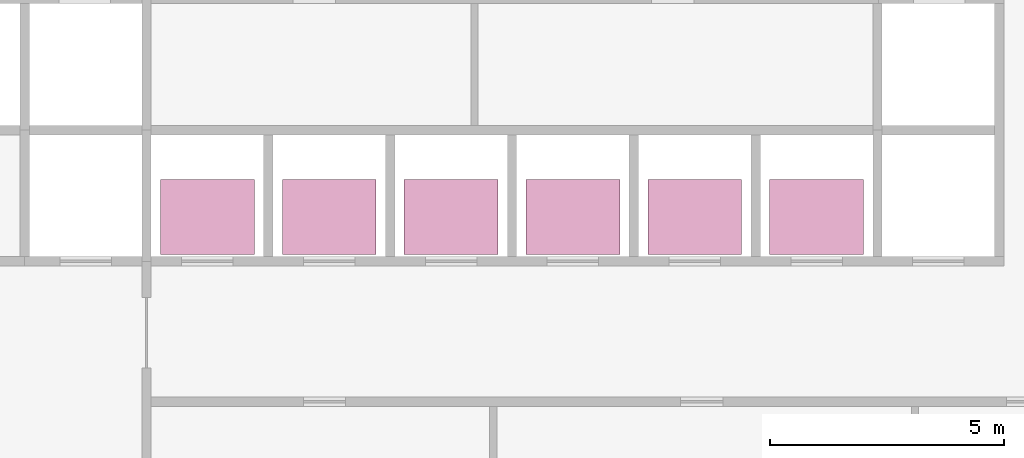
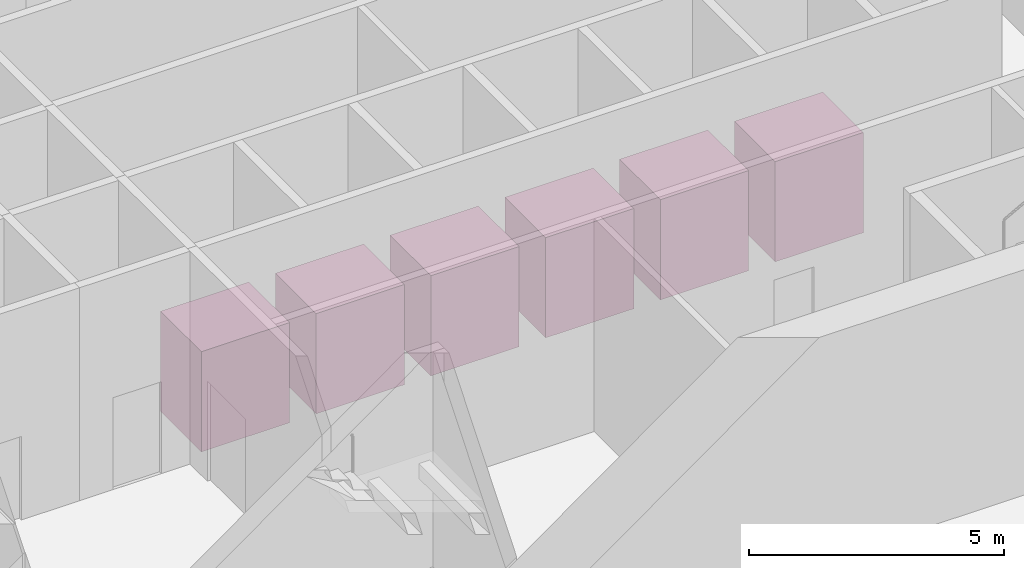
# One storey, part 16 of 16: 6 transport elements.
"""IFC4 building model written with IfcOpenShell, lengths in metres."""

import ifcopenshell
import ifcopenshell.guid

model = None  # the IFC model being written
_history = None  # IfcOwnerHistory: only IFC2X3 demands one
_inside = {}  # id of a spatial element -> (the spatial element, [elements in it])
_under = {}  # id of a project, library or spatial element -> (it, [spatial elements below it])
_declared = {}  # id of a project -> (the project, [libraries it declares])
_typed = {}  # id of a type object -> (the type object, [elements of that type])
_made_of = {}  # id of a material, layer set ... -> (it, [elements and type objects made of it])


def new_model(schema):
    """Start an empty IFC model of exactly this schema.

    Asked for "IFC4X3", IfcOpenShell would pick the latest addendum, in which some entities
    have other attributes; the version numbers below select the first issue.
    IFC2X3 requires an IfcOwnerHistory on every rooted entity: one is made here for all.
    """
    global model, _history
    if schema == "IFC4X3":
        model = ifcopenshell.file(schema_version=(4, 3, 0, 0))
    else:
        model = ifcopenshell.file(schema=schema)
    _inside.clear()
    _under.clear()
    _declared.clear()
    _typed.clear()
    _made_of.clear()
    _history = None
    if model.schema == "IFC2X3":
        org = make("IfcOrganization", Name="unknown")
        user = make(
            "IfcPersonAndOrganization",
            ThePerson=make("IfcPerson", FamilyName="unknown"),
            TheOrganization=org,
        )
        app = make(
            "IfcApplication",
            ApplicationDeveloper=org,
            Version="unknown",
            ApplicationFullName="unknown",
            ApplicationIdentifier="unknown",
        )
        _history = make(
            "IfcOwnerHistory",
            OwningUser=user,
            OwningApplication=app,
            ChangeAction="ADDED",
            CreationDate=0,
        )
    return model


def make(cls, **values):
    """One entity of the class cls with the attributes given. An attribute that is None is left unset."""
    return model.create_entity(
        cls, **{name: value for name, value in values.items() if value is not None}
    )


def rooted(cls, **values):
    """An entity with a GlobalId (a new one), such as an element, a storey or a relation."""
    return make(cls, GlobalId=ifcopenshell.guid.new(), OwnerHistory=_history, **values)


def si_unit(unit_type, name, prefix=None):
    """IfcSIUnit, for example si_unit("LENGTHUNIT", "METRE", prefix="MILLI")."""
    return make("IfcSIUnit", UnitType=unit_type, Prefix=prefix, Name=name)


def assignment(units):
    """IfcUnitAssignment: the units of a project."""
    return None if units is None else make("IfcUnitAssignment", Units=units)


def point(xyz):
    """IfcCartesianPoint."""
    return None if xyz is None else make("IfcCartesianPoint", Coordinates=xyz)


def direction(xyz):
    """IfcDirection."""
    return None if xyz is None else make("IfcDirection", DirectionRatios=xyz)


def frame(location, z_axis=None, x_axis=None):
    """IfcAxis2Placement3D, a coordinate frame: its origin and axes. An axis left out is left unset."""
    return make(
        "IfcAxis2Placement3D",
        Location=point(location),
        Axis=direction(z_axis),
        RefDirection=direction(x_axis),
    )


def frame_2d(location, x_axis=None):
    """IfcAxis2Placement2D, a coordinate frame in the plane: its origin and x axis."""
    return make(
        "IfcAxis2Placement2D", Location=point(location), RefDirection=direction(x_axis)
    )


def origin():
    """The frame at (0, 0, 0) with its axes left unset."""
    return frame((0.0, 0.0, 0.0))


def origin_2d():
    """The frame at (0, 0) in the plane with its x axis left unset."""
    return frame_2d((0.0, 0.0))


def place(relative_to, where):
    """IfcLocalPlacement: puts the frame where relative to a parent placement (None: the world)."""
    return make(
        "IfcLocalPlacement", PlacementRelTo=relative_to, RelativePlacement=where
    )


def context(
    kind, dimensions, precision=None, world=None, true_north=None, identifier=None
):
    """IfcGeometricRepresentationContext, for example the 3D "Model" context."""
    return make(
        "IfcGeometricRepresentationContext",
        ContextIdentifier=identifier,
        ContextType=kind,
        CoordinateSpaceDimension=dimensions,
        Precision=precision,
        WorldCoordinateSystem=world,
        TrueNorth=true_north,
    )


def subcontext(parent, identifier, kind, view, scale=None):
    """IfcGeometricRepresentationSubContext, for example "Body" below "Model"."""
    return make(
        "IfcGeometricRepresentationSubContext",
        ContextIdentifier=identifier,
        ContextType=kind,
        ParentContext=parent,
        TargetScale=scale,
        TargetView=view,
    )


def project(units=None, contexts=None):
    """IfcProject with its units and contexts."""
    return rooted(
        "IfcProject",
        Name="project",
        RepresentationContexts=contexts,
        UnitsInContext=assignment(units),
    )


def spatial(cls, under=None, at=None, **own):
    """A site, building, storey or space (cls), placed at a placement, below another one or the project."""
    s = rooted(cls, ObjectPlacement=at, **own)
    if under is not None:
        _under.setdefault(under.id(), (under, []))[1].append(s)
    return s


def profile(cls, at=None, kind="AREA", **sizes):
    """A parametric profile (cls). Its sizes go by their IFC names, for example OverallWidth=200.0."""
    return make(cls, ProfileType=kind, Position=at, **sizes)


def rectangle(**sizes):
    """IfcRectangleProfileDef."""
    return profile("IfcRectangleProfileDef", **sizes)


def extrude(swept, where, along, depth):
    """IfcExtrudedAreaSolid: the profile swept, set in the frame where, extruded along a direction by depth."""
    return make(
        "IfcExtrudedAreaSolid",
        SweptArea=swept,
        Position=where,
        ExtrudedDirection=direction(along),
        Depth=depth,
    )


def shape(context_of_items, identifier, shape_type, items):
    """IfcShapeRepresentation: the items that make up one representation, for example the "Body"."""
    return make(
        "IfcShapeRepresentation",
        ContextOfItems=context_of_items,
        RepresentationIdentifier=identifier,
        RepresentationType=shape_type,
        Items=items,
    )


def material(Name=None, Category=None):
    """IfcMaterial."""
    return make("IfcMaterial", Name=Name, Category=Category)


def made_of(thing, what):
    """Note that an element or type object is made of a material, layer set ...; save() writes the relation."""
    if what is not None:
        _made_of.setdefault(what.id(), (what, []))[1].append(thing)
    return thing


def type_object(cls, material=None, **own):
    """A type object (cls), such as IfcWallType, which elements share."""
    return made_of(rooted(cls, **own), material)


def element(
    cls,
    number,
    at=None,
    inside=None,
    cuts=None,
    type_object=None,
    material=None,
    context=None,
    identifier="Body",
    shape_type=None,
    held_by="IfcProductDefinitionShape",
    body=None,
    shapes=None,
    **own,
):
    """One element of the class cls, such as IfcWall. Its Tag is "e" and its number.

    at: its placement. inside: the storey or other place that contains it. cuts: it is an
    opening in that element (IfcRelVoidsElement). A single representation is given by context,
    identifier, shape_type and body (its items); several are given by shapes. held_by: the class
    of the entity that holds the representations. save() writes the other relations.
    """
    e = rooted(cls, Tag="e%d" % number, ObjectPlacement=at, **own)
    if body is not None:
        shapes = [shape(context, identifier, shape_type, body)]
    if shapes is not None:
        e.Representation = make(held_by, Representations=shapes)
    if inside is not None:
        _inside.setdefault(inside.id(), (inside, []))[1].append(e)
    if cuts is not None:
        rooted(
            "IfcRelVoidsElement", RelatingBuildingElement=cuts, RelatedOpeningElement=e
        )
    if type_object is not None:
        _typed.setdefault(type_object.id(), (type_object, []))[1].append(e)
    return made_of(e, material)


def aggregate(whole, parts):
    """IfcRelAggregates: a whole, such as a stair, and the parts it consists of."""
    return rooted("IfcRelAggregates", RelatingObject=whole, RelatedObjects=parts)


def save(model, path):
    """Write the relations noted so far, then the file.

    IfcRelAggregates (storeys below a building ...), IfcRelContainedInSpatialStructure (elements
    in a storey), IfcRelDefinesByType, IfcRelAssociatesMaterial and IfcRelDeclares: one each for
    every whole, place, type object, material and project.
    """
    for whole, parts in _under.values():
        aggregate(whole, parts)
    for where, things in _inside.values():
        rooted(
            "IfcRelContainedInSpatialStructure",
            RelatedElements=things,
            RelatingStructure=where,
        )
    for kind, things in _typed.values():
        rooted("IfcRelDefinesByType", RelatedObjects=things, RelatingType=kind)
    for what, things in _made_of.values():
        rooted("IfcRelAssociatesMaterial", RelatedObjects=things, RelatingMaterial=what)
    for by, libraries in _declared.values():
        rooted("IfcRelDeclares", RelatingContext=by, RelatedDefinitions=libraries)
    model.write(path)


model = new_model("IFC4")

# Units and contexts
model_context = context("Model", 3, precision=1e-05, world=origin(), true_north=direction((0.0, 1.0)))
body_context = subcontext(model_context, "Body", "Model", "MODEL_VIEW")
ifc_project = project(units=[si_unit("LENGTHUNIT", "METRE"), si_unit("AREAUNIT", "SQUARE_METRE"), si_unit("VOLUMEUNIT", "CUBIC_METRE"), si_unit("PLANEANGLEUNIT", "RADIAN"), si_unit("MASSUNIT", "GRAM", prefix="KILO")], contexts=[model_context])

# Site, building, storey
site_placement = place(None, origin())
site = spatial("IfcSite", under=ifc_project, at=site_placement, CompositionType="ELEMENT")
building_placement = place(site_placement, origin())
building = spatial("IfcBuilding", under=site, at=building_placement, Name="Msitu Wima Residences", CompositionType="ELEMENT")
storey_placement = place(building_placement, frame((0.0, 0.0, 156.89990234375)))
storey = spatial("IfcBuildingStorey", under=building, at=storey_placement, Name="L36", CompositionType="ELEMENT", Elevation=156.89990234375)

# Transport elements
ifc_material = material(Name="Steel lift car, stainless steel lining", Category="steel")
transport_element_type = type_object("IfcTransportElementType", Name="High-rise passenger lift PL2", PredefinedType="ELEVATOR", material=ifc_material)
for number, where, z_axis, x_axis, name in (
    (1, (-6.5, -1.85009765625, 0.000244140625), (0.0, 0.0, 1.0), (1.0, 0.0, 0.0), "Lift P7"),
    (2, (-3.89990234375, -1.85009765625, 0.000244140625), (0.0, 0.0, 1.0), (1.0, 0.0, 0.0), "Lift P8"),
    (3, (-1.300048828125, -1.85009765625, 0.000244140625), (0.0, 0.0, 1.0), (1.0, 0.0, 0.0), "Lift P9"),
    (4, (1.300048828125, -1.85009765625, 0.000244140625), (0.0, 0.0, 1.0), (1.0, 0.0, 0.0), "Lift P10"),
    (5, (3.89990234375, -1.85009765625, 0.000244140625), (0.0, 0.0, 1.0), (1.0, 0.0, 0.0), "Lift P11"),
    (6, (6.5, -1.85009765625, 0.000244140625), (0.0, 0.0, 1.0), (1.0, 0.0, 0.0), "Lift P12"),
):
    element("IfcTransportElement", number, at=place(storey_placement, frame(where, z_axis=z_axis, x_axis=x_axis)), inside=storey, type_object=transport_element_type, Name=name, PredefinedType="ELEVATOR", context=body_context, shape_type="SweptSolid", body=[
        extrude(rectangle(XDim=2.0, YDim=1.60009765625, at=origin_2d()), origin(), (0.0, 0.0, 1.0), 2.39990234375),
    ])

save(model, "model.ifc")
